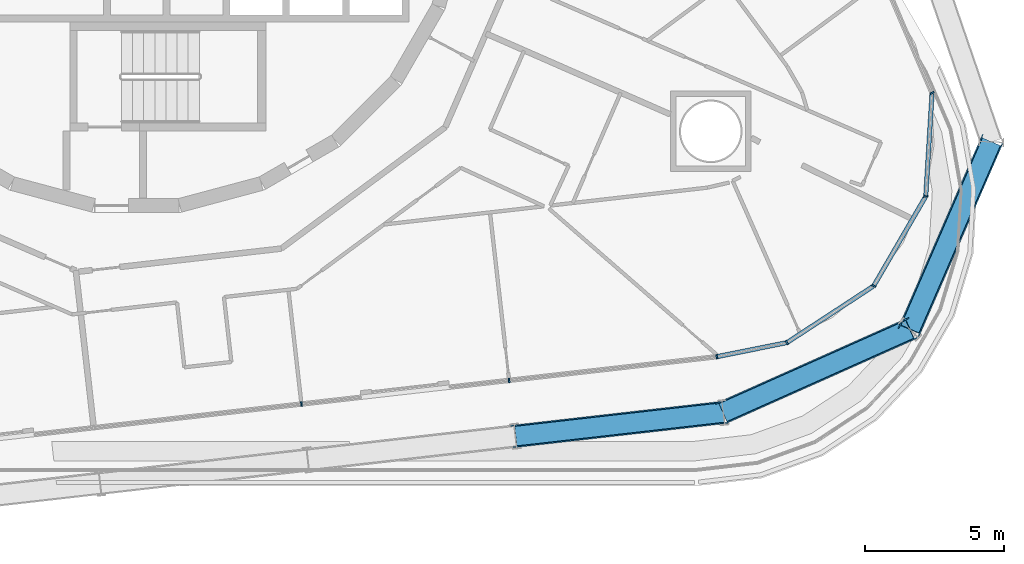
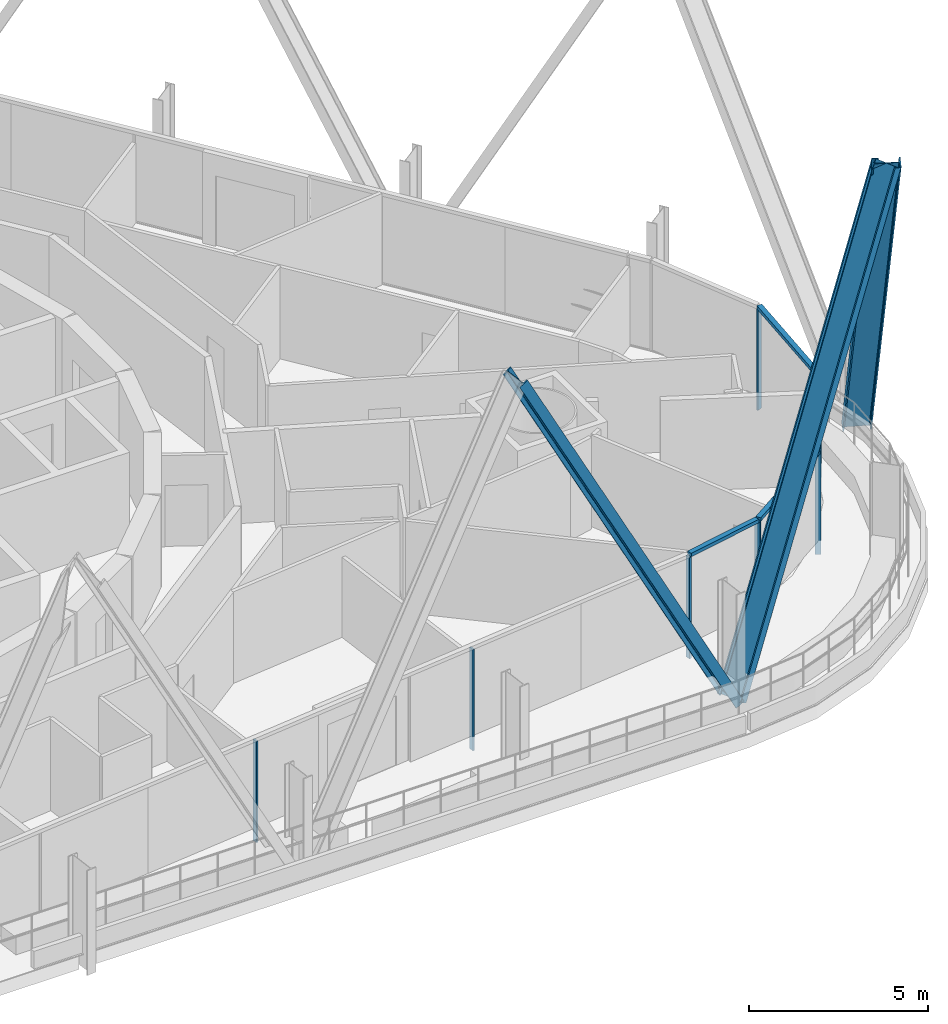
# One storey, part 7 of 32: 14 members, 2 elements without a shape of their own.
"""IFC4 building model written with IfcOpenShell, lengths in metres."""

from ifc_helpers import new_model, si_unit, direction, frame, origin, origin_2d, place, context, subcontext, project, spatial, rectangle, i_section, extrude, material, layer, layer_set, material_profile, profile_set, type_object, element, aggregate, save


model = new_model("IFC4")

# Units and contexts
model_context = context("Model", 3, precision=1e-05, world=origin(), true_north=direction((0.0, 1.0)))
body_context = subcontext(model_context, "Body", "Model", "MODEL_VIEW")
ifc_project = project(units=[si_unit("LENGTHUNIT", "METRE"), si_unit("AREAUNIT", "SQUARE_METRE"), si_unit("VOLUMEUNIT", "CUBIC_METRE"), si_unit("PLANEANGLEUNIT", "RADIAN"), si_unit("MASSUNIT", "GRAM", prefix="KILO")], contexts=[model_context])

# Site, building, storey
site_placement = place(None, origin())
site = spatial("IfcSite", under=ifc_project, at=site_placement, CompositionType="ELEMENT")
building_placement = place(site_placement, origin())
building = spatial("IfcBuilding", under=site, at=building_placement, Name="Spindle Arch Residences", CompositionType="ELEMENT")
storey_placement = place(building_placement, frame((0.0, 0.0, 76.699951171875)))
storey = spatial("IfcBuildingStorey", under=building, at=storey_placement, Name="L17", CompositionType="ELEMENT", Elevation=76.699951171875)

# Curtain wall, members
ifc_material_1 = material(Name="Aluminium bronze unitised frame with tinted glass", Category="aluminium")
ifc_layer_1 = layer(ifc_material_1, 0.159912109375)
ifc_layer_set_1 = layer_set([ifc_layer_1], Name="CW-D corner wall on the fillet arcs")
curtain_wall_type_1 = type_object("IfcCurtainWallType", Name="CW-D corner wall on the fillet arcs", PredefinedType="NOTDEFINED", material=ifc_layer_set_1)
curtain_wall_1_placement = place(storey_placement, origin())
curtain_wall_1 = element("IfcCurtainWall", 1, at=curtain_wall_1_placement, inside=storey, type_object=curtain_wall_type_1, Name="CW-D L17 run 1", PredefinedType="NOTDEFINED")
ifc_material_2 = material(Name="Aluminium bronze anodised mullion", Category="aluminium")
ifc_material_profile_1 = material_profile(ifc_material_2, rectangle(XDim=0.159912109375, YDim=0.06005859375, at=origin_2d()), Name="MU 60x160")
ifc_profile_set_1 = profile_set([ifc_material_profile_1], Name="Aluminium bronze anodised mullion")
member_type_1 = type_object("IfcMemberType", Name="Bronze mullion 60x160", PredefinedType="MULLION", material=ifc_profile_set_1)
member_1_placement = place(storey_placement, frame((20.865234375, -17.085205078125, -0.449951171875), z_axis=(0.0, 0.0, 1.0), x_axis=(-0.196863041416, 0.980430998553, 0.0)))
member_1 = element("IfcMember", 2, at=member_1_placement, type_object=member_type_1, Name="CW-D mullion 00", PredefinedType="MULLION", context=body_context, shape_type="SweptSolid", body=[
    extrude(rectangle(XDim=0.159912109375, YDim=0.06005859375, at=origin_2d()), origin(), (0.0, 0.0, 1.0), 3.449951171875),
])
member_2_placement = place(storey_placement, frame((23.38916015625, -16.57861328125, -0.449951171875), z_axis=(0.0, 0.0, 1.0), x_axis=(-0.547076323657, 0.83708272954, 0.0)))
member_2 = element("IfcMember", 3, at=member_2_placement, type_object=member_type_1, Name="CW-D mullion 01", PredefinedType="MULLION", context=body_context, shape_type="SweptSolid", body=[
    extrude(rectangle(XDim=0.159912109375, YDim=0.06005859375, at=origin_2d()), origin(), (0.0, 0.0, 1.0), 3.449951171875),
])
member_3_placement = place(storey_placement, frame((26.508544921875, -14.539794921875, -0.449951171875), z_axis=(0.0, 0.0, 1.0), x_axis=(-0.864567301682, 0.502517045345, 0.0)))
member_3 = element("IfcMember", 4, at=member_3_placement, type_object=member_type_1, Name="CW-D mullion 02", PredefinedType="MULLION", context=body_context, shape_type="SweptSolid", body=[
    extrude(rectangle(XDim=0.159912109375, YDim=0.06005859375, at=origin_2d()), origin(), (0.0, 0.0, 1.0), 3.449951171875),
])
member_4_placement = place(storey_placement, frame((28.38134765625, -11.317626953125, -0.449951171875), z_axis=(0.0, 0.0, 1.0), x_axis=(-0.998134798631, 0.06104853612, 0.0)))
member_4 = element("IfcMember", 5, at=member_4_placement, type_object=member_type_1, Name="CW-D mullion 03", PredefinedType="MULLION", context=body_context, shape_type="SweptSolid", body=[
    extrude(rectangle(XDim=0.159912109375, YDim=0.06005859375, at=origin_2d()), origin(), (0.0, 0.0, 1.0), 3.449951171875),
])
member_5_placement = place(storey_placement, frame((28.60888671875, -7.597900390625, -0.449951171875), z_axis=(0.0, 0.0, 1.0), x_axis=(-0.919364369298, -0.393407112882, 0.0)))
member_5 = element("IfcMember", 6, at=member_5_placement, type_object=member_type_1, Name="CW-D mullion 04", PredefinedType="MULLION", context=body_context, shape_type="SweptSolid", body=[
    extrude(rectangle(XDim=0.159912109375, YDim=0.06005859375, at=origin_2d()), origin(), (0.0, 0.0, 1.0), 3.449951171875),
])

ifc_material_3 = material(Name="Aluminium bronze unitised frame with tinted glass", Category="aluminium")
ifc_layer_2 = layer(ifc_material_3, 0.159912109375)
ifc_layer_set_2 = layer_set([ifc_layer_2], Name="CW-C typical residential unitised wall")
curtain_wall_type_2 = type_object("IfcCurtainWallType", Name="CW-C typical residential unitised wall", PredefinedType="NOTDEFINED", material=ifc_layer_set_2)
curtain_wall_2_placement = place(storey_placement, origin())
curtain_wall_2 = element("IfcCurtainWall", 7, at=curtain_wall_2_placement, inside=storey, type_object=curtain_wall_type_2, Name="CW-C L17 run 6", PredefinedType="NOTDEFINED")
member_6_placement = place(storey_placement, frame((5.92431640625, -18.78759765625, -0.449951171875), z_axis=(0.0, 0.0, 1.0), x_axis=(-0.113203213768, 0.993571855677, 0.0)))
member_6 = element("IfcMember", 8, at=member_6_placement, type_object=member_type_1, Name="CW-C mullion 00", PredefinedType="MULLION", context=body_context, shape_type="SweptSolid", body=[
    extrude(rectangle(XDim=0.159912109375, YDim=0.06005859375, at=origin_2d()), origin(), (0.0, 0.0, 1.0), 3.449951171875),
])
member_7_placement = place(storey_placement, frame((13.394775390625, -17.9365234375, -0.449951171875), z_axis=(0.0, 0.0, 1.0), x_axis=(-0.113203213768, 0.993571855677, 0.0)))
member_7 = element("IfcMember", 9, at=member_7_placement, type_object=member_type_1, Name="CW-C mullion 01", PredefinedType="MULLION", context=body_context, shape_type="SweptSolid", body=[
    extrude(rectangle(XDim=0.159912109375, YDim=0.06005859375, at=origin_2d()), origin(), (0.0, 0.0, 1.0), 3.449951171875),
])
aggregate(curtain_wall_2, [member_6, member_7])

# Member
ifc_material_4 = material(Name="Aluminium bronze anodised transom", Category="aluminium")
ifc_material_profile_2 = material_profile(ifc_material_4, rectangle(XDim=0.159912109375, YDim=0.1201171875, at=origin_2d()), Name="TR 120x160")
ifc_profile_set_2 = profile_set([ifc_material_profile_2], Name="Aluminium bronze anodised transom")
member_type_2 = type_object("IfcMemberType", Name="Bronze transom 120x160", PredefinedType="USERDEFINED", material=ifc_profile_set_2)
member_8_placement = place(storey_placement, frame((20.894775390625, -17.079345703125, 3.06005859375), z_axis=(0.980434738394, 0.196844415088, 0.0), x_axis=(-0.196844415088, 0.980434738394, 0.0)))
member_8 = element("IfcMember", 10, at=member_8_placement, type_object=member_type_2, Name="CW-D transom 00", ObjectType="TRANSOM", PredefinedType="USERDEFINED", context=body_context, shape_type="SweptSolid", body=[
    extrude(rectangle(XDim=0.159912109375, YDim=0.1201171875, at=origin_2d()), origin(), (0.0, 0.0, 1.0), 2.513916015625),
])

member_9_placement = place(storey_placement, frame((23.4140625, -16.562255859375, 3.06005859375), z_axis=(0.837085709997, 0.547071763226, 0.0), x_axis=(-0.547071763226, 0.837085709997, 0.0)))
member_9 = element("IfcMember", 11, at=member_9_placement, type_object=member_type_2, Name="CW-D transom 01", ObjectType="TRANSOM", PredefinedType="USERDEFINED", context=body_context, shape_type="SweptSolid", body=[
    extrude(rectangle(XDim=0.159912109375, YDim=0.1201171875, at=origin_2d()), origin(), (0.0, 0.0, 1.0), 3.6669921875),
])

member_10_placement = place(storey_placement, frame((26.523681640625, -14.513916015625, 3.06005859375), z_axis=(0.502549865263, 0.864548224753, 0.0), x_axis=(-0.864548224753, 0.502549865263, 0.0)))
member_10 = element("IfcMember", 12, at=member_10_placement, type_object=member_type_2, Name="CW-D transom 02", ObjectType="TRANSOM", PredefinedType="USERDEFINED", context=body_context, shape_type="SweptSolid", body=[
    extrude(rectangle(XDim=0.159912109375, YDim=0.1201171875, at=origin_2d()), origin(), (0.0, 0.0, 1.0), 3.666748046875),
])

member_11_placement = place(storey_placement, frame((28.38330078125, -11.287841796875, 3.06005859375), z_axis=(0.061055913319, 0.998134347395, 0.0), x_axis=(-0.998134347395, 0.061055913319, 0.0)))
member_11 = element("IfcMember", 13, at=member_11_placement, type_object=member_type_2, Name="CW-D transom 03", ObjectType="TRANSOM", PredefinedType="USERDEFINED", context=body_context, shape_type="SweptSolid", body=[
    extrude(rectangle(XDim=0.159912109375, YDim=0.1201171875, at=origin_2d()), origin(), (0.0, 0.0, 1.0), 3.666748046875),
])

aggregate(curtain_wall_1, [member_1, member_8, member_2, member_9, member_3, member_10, member_4, member_11, member_5])

# Members
ifc_material_5 = material(Name="Steel S460ML, intumescent coating R 240", Category="steel")
ifc_material_profile_3 = material_profile(ifc_material_5, i_section(OverallWidth=0.302978515625, OverallDepth=0.81396484375, WebThickness=0.02099609375, FlangeThickness=0.0400390625, FilletRadius=0.030029296875, at=origin_2d()), Name="HEM 800")
ifc_profile_set_3 = profile_set([ifc_material_profile_3], Name="Steel S460ML, intumescent coating R 240")
member_type_3 = type_object("IfcMemberType", Name="Diagrid diagonal HEM 800", PredefinedType="BRACE", material=ifc_profile_set_3)
member_12_placement = place(storey_placement, frame((21.093994140625, -19.09228515625, -0.699951171875), z_axis=(-0.468278231016, -0.053364037764, 0.881968127445), x_axis=(0.876296504564, 0.099860972954, 0.471309051653)))
element("IfcMember", 14, at=member_12_placement, inside=storey, type_object=member_type_3, Name="Diagrid diagonal 2.1.2", PredefinedType="BRACE", context=body_context, shape_type="SweptSolid", body=[
    extrude(i_section(OverallWidth=0.302978515625, OverallDepth=0.81396484375, WebThickness=0.02099609375, FlangeThickness=0.0400390625, FilletRadius=0.030029296875, at=origin_2d()), origin(), (0.0, 0.0, 1.0), 15.953125),
])
member_13_placement = place(storey_placement, frame((21.093994140625, -19.09228515625, -0.699951171875), z_axis=(0.423090326064, 0.188609124747, 0.88623990773), x_axis=(-0.809451748528, -0.360844898619, 0.463226538474)))
element("IfcMember", 15, at=member_13_placement, inside=storey, type_object=member_type_3, Name="Diagrid diagonal 2.1.3", PredefinedType="BRACE", context=body_context, shape_type="SweptSolid", body=[
    extrude(i_section(OverallWidth=0.302978515625, OverallDepth=0.81396484375, WebThickness=0.02099609375, FlangeThickness=0.0400390625, FilletRadius=0.030029296875, at=origin_2d()), origin(), (0.0, 0.0, 1.0), 15.876220703125),
])
member_14_placement = place(storey_placement, frame((30.740478515625, -9.36083984375, -0.699951171875), z_axis=(-0.184560860059, -0.42444844848, 0.886442780735), x_axis=(0.353476966921, 0.812917484972, 0.462838196871)))
element("IfcMember", 16, at=member_14_placement, inside=storey, type_object=member_type_3, Name="Diagrid diagonal 2.1.4", PredefinedType="BRACE", context=body_context, shape_type="SweptSolid", body=[
    extrude(i_section(OverallWidth=0.302978515625, OverallDepth=0.81396484375, WebThickness=0.02099609375, FlangeThickness=0.0400390625, FilletRadius=0.030029296875, at=origin_2d()), origin(), (0.0, 0.0, 1.0), 15.87255859375),
])

save(model, "model.ifc")
